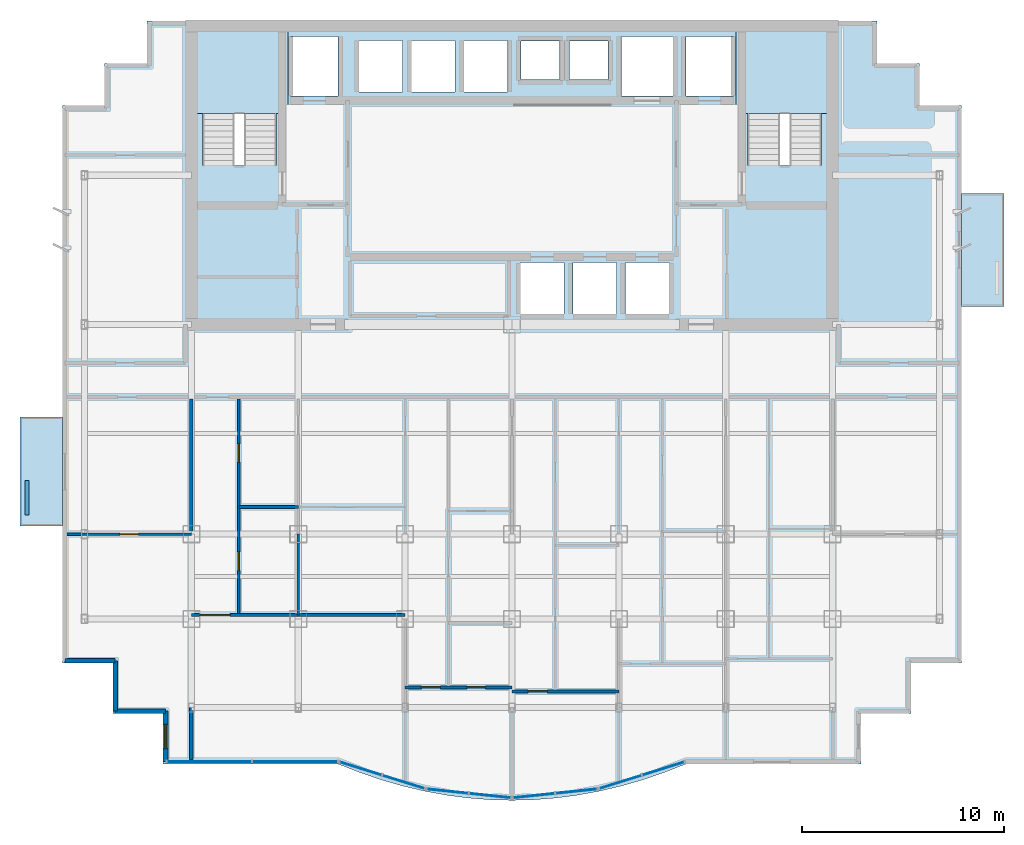
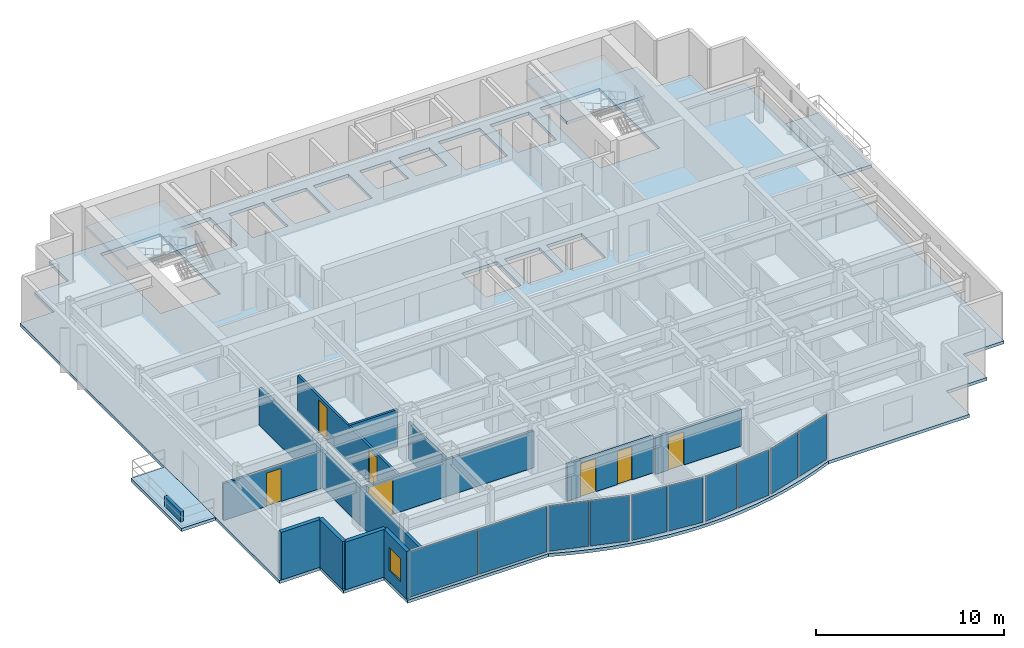
# One storey, part 5 of 11: 13 walls, 10 plates, 7 doors, 5 slabs, 1 window, 8 openings, 7 elements without a shape of their own.
"""IFC4 building model written with IfcOpenShell, lengths in metres."""

from ifc_helpers import new_model, si_unit, direction, frame, frame_2d, origin, origin_2d, place, context, subcontext, project, spatial, polyline, rectangle, outline, extrude, source, transform, mapped, material, layer, layer_set, type_object, element, fill, aggregate, save


model = new_model("IFC4")

# Units and contexts
model_context = context("Model", 3, precision=1e-05, world=origin(), true_north=direction((0.0, 1.0)))
body_context = subcontext(model_context, "Body", "Model", "MODEL_VIEW")
ifc_project = project(units=[si_unit("LENGTHUNIT", "METRE"), si_unit("AREAUNIT", "SQUARE_METRE"), si_unit("VOLUMEUNIT", "CUBIC_METRE"), si_unit("PLANEANGLEUNIT", "RADIAN"), si_unit("MASSUNIT", "GRAM", prefix="KILO")], contexts=[model_context])

# Site, building, storey
site_placement = place(None, origin())
site = spatial("IfcSite", under=ifc_project, at=site_placement, CompositionType="ELEMENT")
building_placement = place(site_placement, origin())
building = spatial("IfcBuilding", under=site, at=building_placement, Name="Qianlan Lanfeng Residences", CompositionType="ELEMENT")
storey_placement = place(building_placement, frame((0.0, 0.0, 172.199951171875)))
storey = spatial("IfcBuildingStorey", under=building, at=storey_placement, Name="L47", CompositionType="ELEMENT", Elevation=172.199951171875)

# Slabs
ifc_material_1 = material(Name="Concrete C42", Category="concrete")
ifc_layer_1 = layer(ifc_material_1, 0.199951171875)
ifc_layer_set_1 = layer_set([ifc_layer_1], Name="Concrete C42")
slab_type_1 = type_object("IfcSlabType", Name="S-BAL-200", PredefinedType="FLOOR", material=ifc_layer_set_1)
slab_1_placement = place(storey_placement, frame((0.0, 0.0, -0.199951171875)))
element("IfcSlab", 1, at=slab_1_placement, inside=storey, type_object=slab_type_1, Name="L47 Planted Tree Balcony Slab WB-S", PredefinedType="FLOOR", context=body_context, shape_type="SweptSolid", body=[
    extrude(outline(polyline([(4.199951171875, 15.199951171875), (4.199951171875, 20.60009765625), (2.10009765625, 20.60009765625), (2.10009765625, 15.199951171875), (4.199951171875, 15.199951171875)])), origin(), (0.0, 0.0, 1.0), 0.199951171875),
])
slab_2_placement = place(storey_placement, frame((0.0, 0.0, -0.199951171875)))
element("IfcSlab", 2, at=slab_2_placement, inside=storey, type_object=slab_type_1, Name="L47 Planted Tree Balcony Slab EB-N", PredefinedType="FLOOR", context=body_context, shape_type="SweptSolid", body=[
    extrude(outline(polyline([(48.800048828125, 31.699951171875), (48.800048828125, 26.10009765625), (50.89990234375, 26.10009765625), (50.89990234375, 31.699951171875), (48.800048828125, 31.699951171875)])), origin(), (0.0, 0.0, 1.0), 0.199951171875),
])
ifc_layer_2 = layer(ifc_material_1, 0.199951171875)
ifc_layer_set_2 = layer_set([ifc_layer_2], Name="Concrete C42")
slab_type_2 = type_object("IfcSlabType", Name="S-FL-200", PredefinedType="FLOOR", material=ifc_layer_set_2)
slab_3_placement = place(storey_placement, frame((0.0, 0.0, -0.199951171875)))
element("IfcSlab", 3, at=slab_3_placement, inside=storey, type_object=slab_type_2, Name="L47 Structural Floor Slab", PredefinedType="FLOOR", context=body_context, shape_type="SweptSolid", body=[
    extrude(outline(polyline([(4.199951171875, 8.39990234375), (6.699951171875, 8.39990234375), (6.699951171875, 5.89990234375), (9.199951171875, 5.89990234375), (9.199951171875, 3.39990234375), (17.8798828125, 3.39990234375), (18.95703125, 2.97802734375), (20.034912109375, 2.612060546875), (21.112060546875, 2.302978515625), (22.18994140625, 2.050048828125), (23.26708984375, 1.85302734375), (24.344970703125, 1.712890625), (25.422119140625, 1.6279296875), (26.5, 1.60009765625), (27.577880859375, 1.6279296875), (28.655029296875, 1.7119140625), (29.73193359375, 1.85302734375), (30.81005859375, 2.050048828125), (31.886962890625, 2.302978515625), (32.965087890625, 2.612060546875), (34.0419921875, 2.97802734375), (35.1201171875, 3.39990234375), (43.800048828125, 3.39990234375), (43.800048828125, 5.89990234375), (46.300048828125, 5.89990234375), (46.300048828125, 8.39990234375), (48.800048828125, 8.39990234375), (48.800048828125, 36.050048828125), (46.699951171875, 36.050048828125), (46.699951171875, 38.14990234375), (44.60009765625, 38.14990234375), (44.60009765625, 40.25), (8.39990234375, 40.25), (8.39990234375, 38.14990234375), (6.300048828125, 38.14990234375), (6.300048828125, 36.050048828125), (4.199951171875, 36.050048828125), (4.199951171875, 8.39990234375)]), holes=[polyline([(11.139892578125, 33.080078125), (11.139892578125, 39.5), (14.820068359375, 39.5), (14.820068359375, 33.080078125), (11.139892578125, 33.080078125)]), polyline([(38.179931640625, 33.080078125), (38.179931640625, 39.5), (41.860107421875, 39.5), (41.860107421875, 33.080078125), (38.179931640625, 33.080078125)]), polyline([(15.52001953125, 36.52001953125), (15.52001953125, 39.47998046875), (17.8798828125, 39.47998046875), (17.8798828125, 36.52001953125), (15.52001953125, 36.52001953125)]), polyline([(35.1201171875, 36.52001953125), (35.1201171875, 39.47998046875), (37.47998046875, 39.47998046875), (37.47998046875, 36.52001953125), (35.1201171875, 36.52001953125)]), polyline([(31.919921875, 36.52001953125), (31.919921875, 39.47998046875), (34.47998046875, 39.47998046875), (34.47998046875, 36.52001953125), (31.919921875, 36.52001953125)]), polyline([(26.919921875, 25.719970703125), (26.919921875, 28.280029296875), (29.080078125, 28.280029296875), (29.080078125, 25.719970703125), (26.919921875, 25.719970703125)]), polyline([(29.52001953125, 25.719970703125), (29.52001953125, 28.280029296875), (31.679931640625, 28.280029296875), (31.679931640625, 25.719970703125), (29.52001953125, 25.719970703125)]), polyline([(32.1201171875, 25.719970703125), (32.1201171875, 28.280029296875), (34.280029296875, 28.280029296875), (34.280029296875, 25.719970703125), (32.1201171875, 25.719970703125)]), polyline([(18.919921875, 36.719970703125), (18.919921875, 39.280029296875), (21.080078125, 39.280029296875), (21.080078125, 36.719970703125), (18.919921875, 36.719970703125)]), polyline([(21.52001953125, 36.719970703125), (21.52001953125, 39.280029296875), (23.679931640625, 39.280029296875), (23.679931640625, 36.719970703125), (21.52001953125, 36.719970703125)]), polyline([(24.1201171875, 36.719970703125), (24.1201171875, 39.280029296875), (26.280029296875, 39.280029296875), (26.280029296875, 36.719970703125), (24.1201171875, 36.719970703125)]), polyline([(26.949951171875, 37.35009765625), (26.949951171875, 39.25), (28.85009765625, 39.25), (28.85009765625, 37.35009765625), (26.949951171875, 37.35009765625)]), polyline([(29.35009765625, 37.35009765625), (29.35009765625, 39.25), (31.25, 39.25), (31.25, 37.35009765625), (29.35009765625, 37.35009765625)])]), origin(), (0.0, 0.0, 1.0), 0.199951171875),
])

# Stair, slab
stair_type = type_object("IfcStairType", Name="STR-MAIN", PredefinedType="HALF_TURN_STAIR", material=ifc_material_1)
stair_1_placement = place(storey_placement, origin())
stair_1 = element("IfcStair", 4, at=stair_1_placement, inside=storey, type_object=stair_type, Name="L47 Exit Stair ST-1", PredefinedType="HALF_TURN_STAIR")
ifc_layer_3 = layer(ifc_material_1, 0.179931640625)
ifc_layer_set_3 = layer_set([ifc_layer_3], Name="Concrete C42")
slab_type_3 = type_object("IfcSlabType", Name="S-LND-180", PredefinedType="LANDING", material=ifc_layer_set_3)
slab_4_placement = place(storey_placement, frame((0.0, 0.0, 1.449951171875)))
slab_4 = element("IfcSlab", 5, at=slab_4_placement, type_object=slab_type_3, Name="ST-1 landing 1", PredefinedType="LANDING", context=body_context, shape_type="SweptSolid", body=[
    extrude(outline(polyline([(10.580078125, 35.659912109375), (15.3798828125, 35.659912109375), (15.3798828125, 40.050048828125), (10.580078125, 40.050048828125), (10.580078125, 35.659912109375)])), origin(), (0.0, 0.0, 1.0), 0.2001953125),
])
aggregate(stair_1, [slab_4])

stair_2_placement = place(storey_placement, origin())
stair_2 = element("IfcStair", 6, at=stair_2_placement, inside=storey, type_object=stair_type, Name="L47 Exit Stair ST-2", PredefinedType="HALF_TURN_STAIR")
slab_5_placement = place(storey_placement, frame((0.0, 0.0, 1.449951171875)))
slab_5 = element("IfcSlab", 7, at=slab_5_placement, type_object=slab_type_3, Name="ST-2 landing 1", PredefinedType="LANDING", context=body_context, shape_type="SweptSolid", body=[
    extrude(outline(polyline([(37.6201171875, 35.659912109375), (42.419921875, 35.659912109375), (42.419921875, 40.050048828125), (37.6201171875, 40.050048828125), (37.6201171875, 35.659912109375)])), origin(), (0.0, 0.0, 1.0), 0.2001953125),
])
aggregate(stair_2, [slab_5])

# Curtain wall, plates
ifc_material_2 = material(Name="Anodised Bronze Aluminium 6063-T6", Category="aluminium")
ifc_layer_4 = layer(ifc_material_2, 0.219970703125)
ifc_layer_set_4 = layer_set([ifc_layer_4], Name="Anodised Bronze Aluminium 6063-T6")
curtain_wall_type = type_object("IfcCurtainWallType", Name="CW-04", PredefinedType="NOTDEFINED", material=ifc_layer_set_4)
curtain_wall_1_placement = place(storey_placement, origin())
curtain_wall_1 = element("IfcCurtainWall", 8, at=curtain_wall_1_placement, inside=storey, type_object=curtain_wall_type, Name="L47 Unitised Curtain Wall CWR-L47-01 (CW-04)", PredefinedType="NOTDEFINED")
ifc_material_3 = material(Name="Dark Bronze Tinted Insulated Glass", Category="glass")
ifc_layer_5 = layer(ifc_material_3, 0.0380859375)
ifc_layer_set_5 = layer_set([ifc_layer_5], Name="Dark Bronze Tinted Insulated Glass")
plate_type_1 = type_object("IfcPlateType", Name="PNL-GLZ-BRZ", PredefinedType="CURTAIN_PANEL", material=ifc_layer_set_5)
shared_shape_1 = source(origin(), body_context, "Body", "SweptSolid", [
    extrude(rectangle(XDim=4.180908203125, YDim=0.0380859375, at=origin_2d()), origin(), (0.0, 0.0, 1.0), 2.951904296875),
])
plate_1_placement = place(storey_placement, frame((11.484619140625, 3.52001953125, 0.07421875), z_axis=(0.0, 0.0, 1.0), x_axis=(1.0, 0.0, 0.0)))
plate_1 = element("IfcPlate", 9, at=plate_1_placement, type_object=plate_type_1, Name="CWR-L47-01 Curtain Panel 1", PredefinedType="CURTAIN_PANEL", context=body_context, shape_type="MappedRepresentation", body=[
    mapped(shared_shape_1, transform((0.0, 0.0, 0.0), scale=1.0)),
])
plate_2_placement = place(storey_placement, frame((15.738525390625, 3.52001953125, 0.07421875), z_axis=(0.0, 0.0, 1.0), x_axis=(1.0, 0.0, 0.0)))
plate_2 = element("IfcPlate", 10, at=plate_2_placement, type_object=plate_type_1, Name="CWR-L47-01 Curtain Panel 2", PredefinedType="CURTAIN_PANEL", context=body_context, shape_type="MappedRepresentation", body=[
    mapped(shared_shape_1, transform((0.0, 0.0, 0.0), scale=1.0)),
])
aggregate(curtain_wall_1, [plate_1, plate_2])

# Curtain wall, plate
curtain_wall_2_placement = place(storey_placement, origin())
curtain_wall_2 = element("IfcCurtainWall", 11, at=curtain_wall_2_placement, inside=storey, type_object=curtain_wall_type, Name="L47 Unitised Curtain Wall CWR-L47-02 (CW-04)", PredefinedType="NOTDEFINED")
ifc_material_4 = material(Name="Perforated Anodised Bronze Aluminium Panel", Category="aluminium")
ifc_layer_6 = layer(ifc_material_4, 0.0419921875)
ifc_layer_set_6 = layer_set([ifc_layer_6], Name="Perforated Anodised Bronze Aluminium Panel")
plate_type_2 = type_object("IfcPlateType", Name="PNL-PRF-BRZ", PredefinedType="CURTAIN_PANEL", material=ifc_layer_set_6)
shared_shape_2 = source(origin(), body_context, "Body", "SweptSolid", [
    extrude(rectangle(XDim=2.14892578125, YDim=0.0419921875, at=origin_2d()), origin(), (0.0, 0.0, 1.0), 2.951904296875),
])
plate_3_placement = place(storey_placement, frame((21.119140625, 2.51171875, 0.07421875), z_axis=(0.0, 0.0, 1.0), x_axis=(0.954195954421, -0.299182353367, 0.0)))
plate_3 = element("IfcPlate", 12, at=plate_3_placement, type_object=plate_type_2, Name="CWR-L47-02 Curtain Panel 2", PredefinedType="CURTAIN_PANEL", context=body_context, shape_type="MappedRepresentation", body=[
    mapped(shared_shape_2, transform((0.0, 0.0, 0.0), scale=1.0)),
])

# Curtain wall, plates
curtain_wall_3_placement = place(storey_placement, origin())
curtain_wall_3 = element("IfcCurtainWall", 13, at=curtain_wall_3_placement, inside=storey, type_object=curtain_wall_type, Name="L47 Unitised Curtain Wall CWR-L47-03 (CW-04)", PredefinedType="NOTDEFINED")
shared_shape_3 = source(origin(), body_context, "Body", "SweptSolid", [
    extrude(rectangle(XDim=2.043701171875, YDim=0.0380859375, at=origin_2d()), origin(), (0.0, 0.0, 1.0), 2.951904296875),
])
plate_4_placement = place(storey_placement, frame((23.304931640625, 2.053955078125, 0.07421875), z_axis=(0.0, 0.0, 1.0), x_axis=(0.994579031105, -0.103983416397, 0.0)))
plate_4 = element("IfcPlate", 14, at=plate_4_placement, type_object=plate_type_1, Name="CWR-L47-03 Curtain Panel 1", PredefinedType="CURTAIN_PANEL", context=body_context, shape_type="MappedRepresentation", body=[
    mapped(shared_shape_3, transform((0.0, 0.0, 0.0), scale=1.0)),
])
plate_5_placement = place(storey_placement, frame((25.41015625, 1.833984375, 0.07421875), z_axis=(0.0, 0.0, 1.0), x_axis=(0.994579031105, -0.103983416397, 0.0)))
plate_5 = element("IfcPlate", 15, at=plate_5_placement, type_object=plate_type_1, Name="CWR-L47-03 Curtain Panel 2", PredefinedType="CURTAIN_PANEL", context=body_context, shape_type="MappedRepresentation", body=[
    mapped(shared_shape_3, transform((0.0, 0.0, 0.0), scale=1.0)),
])
aggregate(curtain_wall_3, [plate_4, plate_5])

# Curtain wall, plate
curtain_wall_4_placement = place(storey_placement, origin())
curtain_wall_4 = element("IfcCurtainWall", 16, at=curtain_wall_4_placement, inside=storey, type_object=curtain_wall_type, Name="L47 Unitised Curtain Wall CWR-L47-04 (CW-04)", PredefinedType="NOTDEFINED")
plate_6_placement = place(storey_placement, frame((27.58984375, 1.833984375, 0.07421875), z_axis=(0.0, 0.0, 1.0), x_axis=(0.994579031105, 0.103983416397, 0.0)))
plate_6 = element("IfcPlate", 17, at=plate_6_placement, type_object=plate_type_1, Name="CWR-L47-04 Curtain Panel 1", PredefinedType="CURTAIN_PANEL", context=body_context, shape_type="MappedRepresentation", body=[
    mapped(shared_shape_3, transform((0.0, 0.0, 0.0), scale=1.0)),
])

# Plate
shared_shape_4 = source(origin(), body_context, "Body", "SweptSolid", [
    extrude(rectangle(XDim=2.14892578125, YDim=0.0380859375, at=origin_2d()), origin(), (0.0, 0.0, 1.0), 2.951904296875),
])
plate_7_placement = place(storey_placement, frame((18.998779296875, 3.176513671875, 0.07421875), z_axis=(0.0, 0.0, 1.0), x_axis=(0.954195954421, -0.299182353367, 0.0)))
plate_7 = element("IfcPlate", 18, at=plate_7_placement, type_object=plate_type_1, Name="CWR-L47-02 Curtain Panel 1", PredefinedType="CURTAIN_PANEL", context=body_context, shape_type="MappedRepresentation", body=[
    mapped(shared_shape_4, transform((0.0, 0.0, 0.0), scale=1.0)),
])

aggregate(curtain_wall_2, [plate_7, plate_3])

# Curtain wall, plates
curtain_wall_5_placement = place(storey_placement, origin())
curtain_wall_5 = element("IfcCurtainWall", 19, at=curtain_wall_5_placement, inside=storey, type_object=curtain_wall_type, Name="L47 Unitised Curtain Wall CWR-L47-05 (CW-04)", PredefinedType="NOTDEFINED")
plate_8_placement = place(storey_placement, frame((31.880859375, 2.51171875, 0.07421875), z_axis=(0.0, 0.0, 1.0), x_axis=(0.954195954421, 0.299182353367, 0.0)))
plate_8 = element("IfcPlate", 20, at=plate_8_placement, type_object=plate_type_1, Name="CWR-L47-05 Curtain Panel 1", PredefinedType="CURTAIN_PANEL", context=body_context, shape_type="MappedRepresentation", body=[
    mapped(shared_shape_4, transform((0.0, 0.0, 0.0), scale=1.0)),
])
plate_9_placement = place(storey_placement, frame((34.001220703125, 3.176513671875, 0.07421875), z_axis=(0.0, 0.0, 1.0), x_axis=(0.954195954421, 0.299182353367, 0.0)))
plate_9 = element("IfcPlate", 21, at=plate_9_placement, type_object=plate_type_1, Name="CWR-L47-05 Curtain Panel 2", PredefinedType="CURTAIN_PANEL", context=body_context, shape_type="MappedRepresentation", body=[
    mapped(shared_shape_4, transform((0.0, 0.0, 0.0), scale=1.0)),
])
aggregate(curtain_wall_5, [plate_8, plate_9])

# Plate
shared_shape_5 = source(origin(), body_context, "Body", "SweptSolid", [
    extrude(rectangle(XDim=2.043701171875, YDim=0.0419921875, at=origin_2d()), origin(), (0.0, 0.0, 1.0), 2.951904296875),
])
plate_10_placement = place(storey_placement, frame((29.695068359375, 2.05419921875, 0.07421875), z_axis=(0.0, 0.0, 1.0), x_axis=(0.994579031105, 0.103983416397, 0.0)))
plate_10 = element("IfcPlate", 22, at=plate_10_placement, type_object=plate_type_2, Name="CWR-L47-04 Curtain Panel 2", PredefinedType="CURTAIN_PANEL", context=body_context, shape_type="MappedRepresentation", body=[
    mapped(shared_shape_5, transform((0.0, 0.0, 0.0), scale=1.0)),
])

aggregate(curtain_wall_4, [plate_6, plate_10])

# Walls
ifc_layer_7 = layer(ifc_material_1, 0.239990234375)
ifc_layer_set_7 = layer_set([ifc_layer_7], Name="Concrete C42")
wall_type_1 = type_object("IfcWallType", Name="EW-240", PredefinedType="SOLIDWALL", material=ifc_layer_set_7)
for number, where, z_axis, x_axis, name in (
    (23, (4.320068359375, 8.52001953125, 0.0), (0.0, 0.0, 1.0), (1.0, 0.0, 0.0), "L47 Exterior Facade Spandrel Wall 1"),
    (24, (6.820068359375, 8.52001953125, 0.0), (0.0, 0.0, 1.0), (0.0, -1.0, 0.0), "L47 Exterior Facade Spandrel Wall 2"),
    (25, (6.820068359375, 6.02001953125, 0.0), (0.0, 0.0, 1.0), (1.0, 0.0, 0.0), "L47 Exterior Facade Spandrel Wall 3"),
):
    element("IfcWall", number, at=place(storey_placement, frame(where, z_axis=z_axis, x_axis=x_axis)), inside=storey, type_object=wall_type_1, Name=name, PredefinedType="SOLIDWALL", context=body_context, shape_type="SweptSolid", body=[
        extrude(rectangle(XDim=2.5, YDim=0.239990234375, at=frame_2d((1.25, 0.0))), origin(), (0.0, 0.0, 1.0), 3.10009765625),
    ])

# Wall, opening, window
wall_1_placement = place(storey_placement, frame((9.320068359375, 6.02001953125, 0.0), z_axis=(0.0, 0.0, 1.0), x_axis=(0.0, -1.0, 0.0)))
wall_1 = element("IfcWall", 26, at=wall_1_placement, inside=storey, type_object=wall_type_1, Name="L47 Exterior Facade Spandrel Wall 4", PredefinedType="SOLIDWALL", context=body_context, shape_type="SweptSolid", body=[
    extrude(rectangle(XDim=2.5, YDim=0.239990234375, at=frame_2d((1.25, 0.0))), origin(), (0.0, 0.0, 1.0), 3.10009765625),
])
opening_1_placement = place(wall_1_placement, frame((0.64990234375, 0.0, 0.75)))
opening_1 = element("IfcOpeningElement", 27, at=opening_1_placement, cuts=wall_1, Name="Opening W-03", PredefinedType="OPENING", context=body_context, shape_type="SweptSolid", body=[
    extrude(rectangle(XDim=1.199951171875, YDim=1.5, at=frame_2d((0.60009765625, 0.75))), frame((0.0, 0.1298828125, 0.0), z_axis=(0.0, -1.0, 0.0), x_axis=(1.0, 0.0, 0.0)), (0.0, 0.0, 1.0), 0.260009765625),
])
ifc_material_5 = material(Name="Anodised Bronze Aluminium Framed Double Glazing", Category="aluminium")
window_type = type_object("IfcWindowType", Name="W-03", PartitioningType="SINGLE_PANEL", PredefinedType="WINDOW", material=ifc_material_5)
window_placement = place(opening_1_placement, origin())
window = element("IfcWindow", 28, at=window_placement, inside=storey, type_object=window_type, Name="L47 Facade Punched Window W-03", OverallHeight=1.5, OverallWidth=1.199951171875, PartitioningType="SINGLE_PANEL", PredefinedType="WINDOW", context=body_context, shape_type="SweptSolid", body=[
    extrude(rectangle(XDim=1.199951171875, YDim=1.5, at=frame_2d((0.60009765625, 0.75))), frame((0.0, 0.030029296875, 0.0), z_axis=(0.0, -1.0, 0.0), x_axis=(1.0, 0.0, 0.0)), (0.0, 0.0, 1.0), 0.06005859375),
])
fill(opening_1, window)

# Walls
ifc_layer_8 = layer(ifc_material_1, 0.199951171875)
ifc_layer_set_8 = layer_set([ifc_layer_8], Name="Concrete C42")
wall_type_2 = type_object("IfcWallType", Name="PL-TREE-200", PredefinedType="PARAPET", material=ifc_layer_set_8)
wall_2_placement = place(storey_placement, frame((2.449951171875, 15.75, 0.0), z_axis=(0.0, 0.0, 1.0), x_axis=(0.0, 1.0, 0.0)))
element("IfcWall", 29, at=wall_2_placement, inside=storey, type_object=wall_type_2, Name="L47 West Tree Planter Curb WB-S", PredefinedType="PARAPET", context=body_context, shape_type="SweptSolid", body=[
    extrude(rectangle(XDim=1.699951171875, YDim=0.199951171875, at=frame_2d((0.85009765625, 0.0))), origin(), (0.0, 0.0, 1.0), 0.650146484375),
])
ifc_material_6 = material(Name="Moisture-Resistant Gypsum Partition 135 mm")
ifc_layer_9 = layer(ifc_material_6, 0.135009765625)
ifc_layer_set_9 = layer_set([ifc_layer_9], Name="Moisture-Resistant Gypsum Partition 135 mm")
wall_type_3 = type_object("IfcWallType", Name="PW-135", PredefinedType="PARTITIONING", material=ifc_layer_set_9)
wall_3_placement = place(storey_placement, frame((15.89990234375, 10.7900390625, 0.0), z_axis=(0.0, 0.0, 1.0), x_axis=(0.0, 1.0, 0.0)))
element("IfcWall", 30, at=wall_3_placement, inside=storey, type_object=wall_type_3, Name="L47 U01 Mid Column Wall", PredefinedType="PARTITIONING", context=body_context, shape_type="SweptSolid", body=[
    extrude(rectangle(XDim=4.010009765625, YDim=0.135009765625, at=frame_2d((2.0048828125, 0.0))), origin(), (0.0, 0.0, 1.0), 2.380126953125),
])

# Wall, opening, door
wall_4_placement = place(storey_placement, frame((10.60009765625, 10.7900390625, 0.0), z_axis=(0.0, 0.0, 1.0), x_axis=(1.0, 0.0, 0.0)))
wall_4 = element("IfcWall", 31, at=wall_4_placement, inside=storey, type_object=wall_type_3, Name="L47 U01 Grand Living North Wall", PredefinedType="PARTITIONING", context=body_context, shape_type="SweptSolid", body=[
    extrude(rectangle(XDim=10.599853515625, YDim=0.135009765625, at=frame_2d((5.2998046875, 0.0))), origin(), (0.0, 0.0, 1.0), 2.380126953125),
])
opening_2_placement = place(wall_4_placement, frame((0.425048828125, 0.0, 0.0)))
opening_2 = element("IfcOpeningElement", 32, at=opening_2_placement, cuts=wall_4, Name="Opening L47-D21", PredefinedType="OPENING", context=body_context, shape_type="SweptSolid", body=[
    extrude(rectangle(XDim=1.5, YDim=2.25, at=frame_2d((0.75, 1.125))), frame((0.0, 0.07763671875, 0.0), z_axis=(0.0, -1.0, 0.0), x_axis=(1.0, 0.0, 0.0)), (0.0, 0.0, 1.0), 0.155029296875),
])
ifc_material_7 = material(Name="Timber Veneer Acoustic Fire Door", Category="wood")
door_type_1 = type_object("IfcDoorType", Name="DT-COR1", OperationType="NOTDEFINED", PredefinedType="DOOR", material=ifc_material_7)
door_1_placement = place(opening_2_placement, origin())
door_1 = element("IfcDoor", 33, at=door_1_placement, inside=storey, type_object=door_type_1, Name="L47 U01 Grand Living Door L47-D21 (DT-COR1)", OperationType="DOUBLE_DOOR_SINGLE_SWING", OverallHeight=2.25, OverallWidth=1.5, PredefinedType="DOOR", context=body_context, shape_type="SweptSolid", body=[
    extrude(rectangle(XDim=1.5, YDim=2.25, at=frame_2d((0.75, 1.125))), frame((0.0, 0.02490234375, 0.0), z_axis=(0.0, -1.0, 0.0), x_axis=(1.0, 0.0, 0.0)), (0.0, 0.0, 1.0), 0.050048828125),
])
fill(opening_2, door_1)

# Wall, openings, doors
wall_5_placement = place(storey_placement, frame((12.949951171875, 10.7900390625, 0.0), z_axis=(0.0, 0.0, 1.0), x_axis=(0.0, 1.0, 0.0)))
wall_5 = element("IfcWall", 34, at=wall_5_placement, inside=storey, type_object=wall_type_3, Name="L47 U01 Kitchen/Bath Wall", PredefinedType="PARTITIONING", context=body_context, shape_type="SweptSolid", body=[
    extrude(rectangle(XDim=10.7099609375, YDim=0.135009765625, at=frame_2d((5.35498046875, 0.0))), origin(), (0.0, 0.0, 1.0), 2.380126953125),
])
opening_3_placement = place(wall_5_placement, frame((2.218017578125, 0.0, 0.0)))
opening_3 = element("IfcOpeningElement", 35, at=opening_3_placement, cuts=wall_5, Name="Opening L47-D22", PredefinedType="OPENING", context=body_context, shape_type="SweptSolid", body=[
    extrude(rectangle(XDim=0.919921875, YDim=2.14990234375, at=frame_2d((0.4599609375, 1.074951171875))), frame((0.0, 0.07763671875, 0.0), z_axis=(0.0, -1.0, 0.0), x_axis=(1.0, 0.0, 0.0)), (0.0, 0.0, 1.0), 0.155029296875),
])
opening_4_placement = place(wall_5_placement, frame((7.5830078125, 0.0, 0.0)))
opening_4 = element("IfcOpeningElement", 36, at=opening_4_placement, cuts=wall_5, Name="Opening L47-D23", PredefinedType="OPENING", context=body_context, shape_type="SweptSolid", body=[
    extrude(rectangle(XDim=0.89990234375, YDim=2.14990234375, at=frame_2d((0.449951171875, 1.074951171875))), frame((0.0, 0.07763671875, 0.0), z_axis=(0.0, -1.0, 0.0), x_axis=(1.0, 0.0, 0.0)), (0.0, 0.0, 1.0), 0.155029296875),
])
ifc_material_8 = material(Name="Glazed Timber Kitchen/Study Door", Category="wood")
door_type_2 = type_object("IfcDoorType", Name="DT-INT", OperationType="NOTDEFINED", PredefinedType="DOOR", material=ifc_material_8)
door_2_placement = place(opening_3_placement, origin())
door_2 = element("IfcDoor", 37, at=door_2_placement, inside=storey, type_object=door_type_2, Name="L47 U01 Kitchen Door L47-D22 (DT-INT)", OperationType="SINGLE_SWING_RIGHT", OverallHeight=2.14990234375, OverallWidth=0.919921875, PredefinedType="DOOR", context=body_context, shape_type="SweptSolid", body=[
    extrude(rectangle(XDim=0.919921875, YDim=2.14990234375, at=frame_2d((0.4599609375, 1.074951171875))), frame((0.0, 0.02490234375, 0.0), z_axis=(0.0, -1.0, 0.0), x_axis=(1.0, 0.0, 0.0)), (0.0, 0.0, 1.0), 0.050048828125),
])
fill(opening_3, door_2)
ifc_material_9 = material(Name="Moisture-Resistant Timber Leaf", Category="wood")
door_type_3 = type_object("IfcDoorType", Name="DT-WC", OperationType="NOTDEFINED", PredefinedType="DOOR", material=ifc_material_9)
door_3_placement = place(opening_4_placement, origin())
door_3 = element("IfcDoor", 38, at=door_3_placement, inside=storey, type_object=door_type_3, Name="L47 U01 Bathroom Door L47-D23 (DT-WC)", OperationType="SINGLE_SWING_LEFT", OverallHeight=2.14990234375, OverallWidth=0.89990234375, PredefinedType="DOOR", context=body_context, shape_type="SweptSolid", body=[
    extrude(rectangle(XDim=0.89990234375, YDim=2.14990234375, at=frame_2d((0.449951171875, 1.074951171875))), frame((0.0, 0.02490234375, 0.0), z_axis=(0.0, -1.0, 0.0), x_axis=(1.0, 0.0, 0.0)), (0.0, 0.0, 1.0), 0.050048828125),
])
fill(opening_4, door_3)

# Wall
wall_6_placement = place(storey_placement, frame((12.949951171875, 16.14501953125, 0.0), z_axis=(0.0, 0.0, 1.0), x_axis=(1.0, 0.0, 0.0)))
element("IfcWall", 39, at=wall_6_placement, inside=storey, type_object=wall_type_3, Name="L47 U01 Bath Split Wall", PredefinedType="PARTITIONING", context=body_context, shape_type="SweptSolid", body=[
    extrude(rectangle(XDim=2.949951171875, YDim=0.135009765625, at=frame_2d((1.47509765625, 0.0))), origin(), (0.0, 0.0, 1.0), 2.380126953125),
])

# Wall, openings, doors
wall_7_placement = place(storey_placement, frame((21.199951171875, 7.198974609375, 0.0), z_axis=(0.0, 0.0, 1.0), x_axis=(1.0, 0.0, 0.0)))
wall_7 = element("IfcWall", 40, at=wall_7_placement, inside=storey, type_object=wall_type_3, Name="L47 U01 Master Bedroom North Wall", PredefinedType="PARTITIONING", context=body_context, shape_type="SweptSolid", body=[
    extrude(rectangle(XDim=5.300048828125, YDim=0.135009765625, at=frame_2d((2.64990234375, 0.0))), origin(), (0.0, 0.0, 1.0), 2.380126953125),
])
opening_5_placement = place(wall_7_placement, frame((0.800048828125, 0.0, 0.0)))
opening_5 = element("IfcOpeningElement", 41, at=opening_5_placement, cuts=wall_7, Name="Opening L47-D25", PredefinedType="OPENING", context=body_context, shape_type="SweptSolid", body=[
    extrude(rectangle(XDim=0.949951171875, YDim=2.14990234375, at=frame_2d((0.47509765625, 1.074951171875))), frame((0.0, 0.07763671875, 0.0), z_axis=(0.0, -1.0, 0.0), x_axis=(1.0, 0.0, 0.0)), (0.0, 0.0, 1.0), 0.155029296875),
])
opening_6_placement = place(wall_7_placement, frame((3.074951171875, 0.0, 0.0)))
opening_6 = element("IfcOpeningElement", 42, at=opening_6_placement, cuts=wall_7, Name="Opening L47-D26", PredefinedType="OPENING", context=body_context, shape_type="SweptSolid", body=[
    extrude(rectangle(XDim=0.89990234375, YDim=2.14990234375, at=frame_2d((0.449951171875, 1.074951171875))), frame((0.0, 0.07763671875, 0.0), z_axis=(0.0, -1.0, 0.0), x_axis=(1.0, 0.0, 0.0)), (0.0, 0.0, 1.0), 0.155029296875),
])
ifc_material_10 = material(Name="Painted Solid-Core Timber Leaf", Category="wood")
door_type_4 = type_object("IfcDoorType", Name="DT-BED", OperationType="NOTDEFINED", PredefinedType="DOOR", material=ifc_material_10)
door_4_placement = place(opening_5_placement, origin())
door_4 = element("IfcDoor", 43, at=door_4_placement, inside=storey, type_object=door_type_4, Name="L47 U01 Master Bedroom Door L47-D25 (DT-BED)", OperationType="SINGLE_SWING_LEFT", OverallHeight=2.14990234375, OverallWidth=0.949951171875, PredefinedType="DOOR", context=body_context, shape_type="SweptSolid", body=[
    extrude(rectangle(XDim=0.949951171875, YDim=2.14990234375, at=frame_2d((0.47509765625, 1.074951171875))), frame((0.0, 0.02490234375, 0.0), z_axis=(0.0, -1.0, 0.0), x_axis=(1.0, 0.0, 0.0)), (0.0, 0.0, 1.0), 0.050048828125),
])
fill(opening_5, door_4)
door_5_placement = place(opening_6_placement, origin())
door_5 = element("IfcDoor", 44, at=door_5_placement, inside=storey, type_object=door_type_3, Name="L47 U01 En-Suite Bathroom Door L47-D26 (DT-WC)", OperationType="SINGLE_SWING_RIGHT", OverallHeight=2.14990234375, OverallWidth=0.89990234375, PredefinedType="DOOR", context=body_context, shape_type="SweptSolid", body=[
    extrude(rectangle(XDim=0.89990234375, YDim=2.14990234375, at=frame_2d((0.449951171875, 1.074951171875))), frame((0.0, 0.02490234375, 0.0), z_axis=(0.0, -1.0, 0.0), x_axis=(1.0, 0.0, 0.0)), (0.0, 0.0, 1.0), 0.050048828125),
])
fill(opening_6, door_5)

# Wall, opening, door
wall_8_placement = place(storey_placement, frame((26.5, 6.9990234375, 0.0), z_axis=(0.0, 0.0, 1.0), x_axis=(1.0, 0.0, 0.0)))
wall_8 = element("IfcWall", 45, at=wall_8_placement, inside=storey, type_object=wall_type_3, Name="L47 U01 Bedroom 3 North Wall", PredefinedType="PARTITIONING", context=body_context, shape_type="SweptSolid", body=[
    extrude(rectangle(XDim=5.300048828125, YDim=0.135009765625, at=frame_2d((2.64990234375, 0.0))), origin(), (0.0, 0.0, 1.0), 2.380126953125),
])
opening_7_placement = place(wall_8_placement, frame((0.800048828125, 0.0, 0.0)))
opening_7 = element("IfcOpeningElement", 46, at=opening_7_placement, cuts=wall_8, Name="Opening L47-D29", PredefinedType="OPENING", context=body_context, shape_type="SweptSolid", body=[
    extrude(rectangle(XDim=0.949951171875, YDim=2.14990234375, at=frame_2d((0.47509765625, 1.074951171875))), frame((0.0, 0.07763671875, 0.0), z_axis=(0.0, -1.0, 0.0), x_axis=(1.0, 0.0, 0.0)), (0.0, 0.0, 1.0), 0.155029296875),
])
door_6_placement = place(opening_7_placement, origin())
door_6 = element("IfcDoor", 47, at=door_6_placement, inside=storey, type_object=door_type_4, Name="L47 U01 Bedroom 3 Door L47-D29 (DT-BED)", OperationType="SINGLE_SWING_LEFT", OverallHeight=2.14990234375, OverallWidth=0.949951171875, PredefinedType="DOOR", context=body_context, shape_type="SweptSolid", body=[
    extrude(rectangle(XDim=0.949951171875, YDim=2.14990234375, at=frame_2d((0.47509765625, 1.074951171875))), frame((0.0, 0.02490234375, 0.0), z_axis=(0.0, -1.0, 0.0), x_axis=(1.0, 0.0, 0.0)), (0.0, 0.0, 1.0), 0.050048828125),
])
fill(opening_7, door_6)

wall_9_placement = place(storey_placement, frame((4.419921875, 14.800048828125, 0.0), z_axis=(0.0, 0.0, 1.0), x_axis=(1.0, 0.0, 0.0)))
wall_9 = element("IfcWall", 48, at=wall_9_placement, inside=storey, type_object=wall_type_3, Name="L47 SWP Mid Partition", PredefinedType="PARTITIONING", context=body_context, shape_type="SweptSolid", body=[
    extrude(rectangle(XDim=6.18017578125, YDim=0.135009765625, at=frame_2d((3.090087890625, 0.0))), origin(), (0.0, 0.0, 1.0), 2.380126953125),
])
opening_8_placement = place(wall_9_placement, frame((2.6298828125, 0.0, 0.0)))
opening_8 = element("IfcOpeningElement", 49, at=opening_8_placement, cuts=wall_9, Name="Opening L47-D38", PredefinedType="OPENING", context=body_context, shape_type="SweptSolid", body=[
    extrude(rectangle(XDim=0.919921875, YDim=2.14990234375, at=frame_2d((0.4599609375, 1.074951171875))), frame((0.0, 0.07763671875, 0.0), z_axis=(0.0, -1.0, 0.0), x_axis=(1.0, 0.0, 0.0)), (0.0, 0.0, 1.0), 0.155029296875),
])
door_7_placement = place(opening_8_placement, origin())
door_7 = element("IfcDoor", 50, at=door_7_placement, inside=storey, type_object=door_type_2, Name="L47 SWP Inner Door L47-D38 (DT-INT)", OperationType="SINGLE_SWING_RIGHT", OverallHeight=2.14990234375, OverallWidth=0.919921875, PredefinedType="DOOR", context=body_context, shape_type="SweptSolid", body=[
    extrude(rectangle(XDim=0.919921875, YDim=2.14990234375, at=frame_2d((0.4599609375, 1.074951171875))), frame((0.0, 0.02490234375, 0.0), z_axis=(0.0, -1.0, 0.0), x_axis=(1.0, 0.0, 0.0)), (0.0, 0.0, 1.0), 0.050048828125),
])
fill(opening_8, door_7)

# Wall
ifc_material_11 = material(Name="Double-Layer Acoustic Gypsum Stud Wall 180 mm")
ifc_layer_10 = layer(ifc_material_11, 0.179931640625)
ifc_layer_set_10 = layer_set([ifc_layer_10], Name="Double-Layer Acoustic Gypsum Stud Wall 180 mm")
wall_type_4 = type_object("IfcWallType", Name="PW-180", PredefinedType="PARTITIONING", material=ifc_layer_set_10)
wall_10_placement = place(storey_placement, frame((10.60009765625, 3.6201171875, 0.0), z_axis=(0.0, 0.0, 1.0), x_axis=(0.0, 1.0, 0.0)))
element("IfcWall", 51, at=wall_10_placement, inside=storey, type_object=wall_type_4, Name="L47 Wing Boundary Party Wall W0", PredefinedType="PARTITIONING", context=body_context, shape_type="SweptSolid", body=[
    extrude(rectangle(XDim=17.8798828125, YDim=0.179931640625, at=frame_2d((8.93994140625, 0.0))), origin(), (0.0, 0.0, 1.0), 2.380126953125),
])

save(model, "model.ifc")
